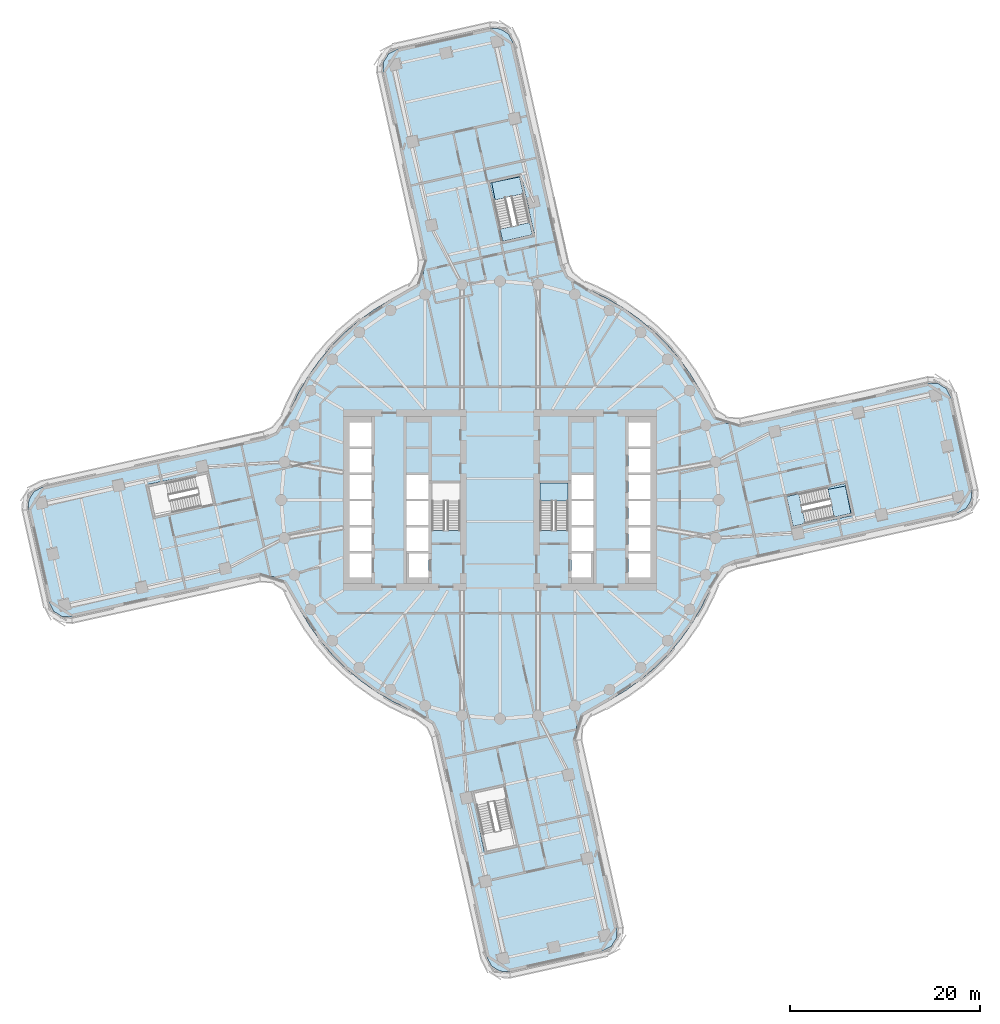
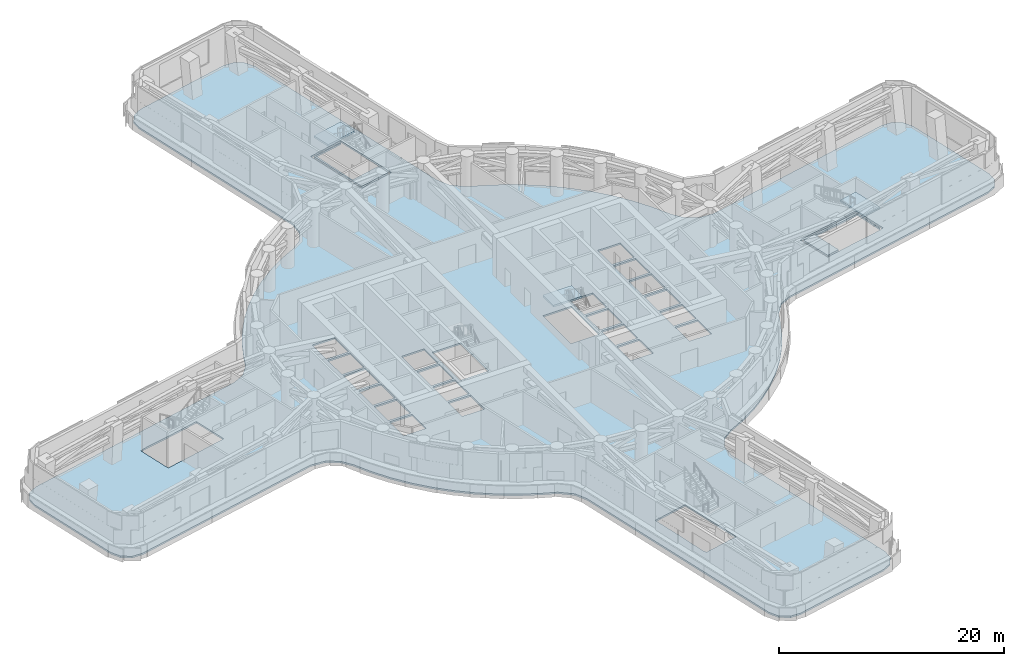
# One storey, part 6 of 22: 6 slabs, 3 elements without a shape of their own.
"""IFC4 building model written with IfcOpenShell, lengths in metres."""

import ifcopenshell
import ifcopenshell.guid

model = None  # the IFC model being written
_history = None  # IfcOwnerHistory: only IFC2X3 demands one
_inside = {}  # id of a spatial element -> (the spatial element, [elements in it])
_under = {}  # id of a project, library or spatial element -> (it, [spatial elements below it])
_declared = {}  # id of a project -> (the project, [libraries it declares])
_typed = {}  # id of a type object -> (the type object, [elements of that type])
_made_of = {}  # id of a material, layer set ... -> (it, [elements and type objects made of it])


def new_model(schema):
    """Start an empty IFC model of exactly this schema.

    Asked for "IFC4X3", IfcOpenShell would pick the latest addendum, in which some entities
    have other attributes; the version numbers below select the first issue.
    IFC2X3 requires an IfcOwnerHistory on every rooted entity: one is made here for all.
    """
    global model, _history
    if schema == "IFC4X3":
        model = ifcopenshell.file(schema_version=(4, 3, 0, 0))
    else:
        model = ifcopenshell.file(schema=schema)
    _inside.clear()
    _under.clear()
    _declared.clear()
    _typed.clear()
    _made_of.clear()
    _history = None
    if model.schema == "IFC2X3":
        org = make("IfcOrganization", Name="unknown")
        user = make(
            "IfcPersonAndOrganization",
            ThePerson=make("IfcPerson", FamilyName="unknown"),
            TheOrganization=org,
        )
        app = make(
            "IfcApplication",
            ApplicationDeveloper=org,
            Version="unknown",
            ApplicationFullName="unknown",
            ApplicationIdentifier="unknown",
        )
        _history = make(
            "IfcOwnerHistory",
            OwningUser=user,
            OwningApplication=app,
            ChangeAction="ADDED",
            CreationDate=0,
        )
    return model


def make(cls, **values):
    """One entity of the class cls with the attributes given. An attribute that is None is left unset."""
    return model.create_entity(
        cls, **{name: value for name, value in values.items() if value is not None}
    )


def rooted(cls, **values):
    """An entity with a GlobalId (a new one), such as an element, a storey or a relation."""
    return make(cls, GlobalId=ifcopenshell.guid.new(), OwnerHistory=_history, **values)


def si_unit(unit_type, name, prefix=None):
    """IfcSIUnit, for example si_unit("LENGTHUNIT", "METRE", prefix="MILLI")."""
    return make("IfcSIUnit", UnitType=unit_type, Prefix=prefix, Name=name)


def assignment(units):
    """IfcUnitAssignment: the units of a project."""
    return None if units is None else make("IfcUnitAssignment", Units=units)


def point(xyz):
    """IfcCartesianPoint."""
    return None if xyz is None else make("IfcCartesianPoint", Coordinates=xyz)


def direction(xyz):
    """IfcDirection."""
    return None if xyz is None else make("IfcDirection", DirectionRatios=xyz)


def frame(location, z_axis=None, x_axis=None):
    """IfcAxis2Placement3D, a coordinate frame: its origin and axes. An axis left out is left unset."""
    return make(
        "IfcAxis2Placement3D",
        Location=point(location),
        Axis=direction(z_axis),
        RefDirection=direction(x_axis),
    )


def origin():
    """The frame at (0, 0, 0) with its axes left unset."""
    return frame((0.0, 0.0, 0.0))


def place(relative_to, where):
    """IfcLocalPlacement: puts the frame where relative to a parent placement (None: the world)."""
    return make(
        "IfcLocalPlacement", PlacementRelTo=relative_to, RelativePlacement=where
    )


def context(
    kind, dimensions, precision=None, world=None, true_north=None, identifier=None
):
    """IfcGeometricRepresentationContext, for example the 3D "Model" context."""
    return make(
        "IfcGeometricRepresentationContext",
        ContextIdentifier=identifier,
        ContextType=kind,
        CoordinateSpaceDimension=dimensions,
        Precision=precision,
        WorldCoordinateSystem=world,
        TrueNorth=true_north,
    )


def subcontext(parent, identifier, kind, view, scale=None):
    """IfcGeometricRepresentationSubContext, for example "Body" below "Model"."""
    return make(
        "IfcGeometricRepresentationSubContext",
        ContextIdentifier=identifier,
        ContextType=kind,
        ParentContext=parent,
        TargetScale=scale,
        TargetView=view,
    )


def project(units=None, contexts=None):
    """IfcProject with its units and contexts."""
    return rooted(
        "IfcProject",
        Name="project",
        RepresentationContexts=contexts,
        UnitsInContext=assignment(units),
    )


def spatial(cls, under=None, at=None, **own):
    """A site, building, storey or space (cls), placed at a placement, below another one or the project."""
    s = rooted(cls, ObjectPlacement=at, **own)
    if under is not None:
        _under.setdefault(under.id(), (under, []))[1].append(s)
    return s


def polyline(points):
    """IfcPolyline through the points."""
    return make("IfcPolyline", Points=[point(p) for p in points])


def outline(outer, holes=None, kind="AREA"):
    """IfcArbitraryClosedProfileDef: a profile drawn as a closed curve; with holes, ...WithVoids."""
    if holes is None:
        return make("IfcArbitraryClosedProfileDef", ProfileType=kind, OuterCurve=outer)
    return make(
        "IfcArbitraryProfileDefWithVoids",
        ProfileType=kind,
        OuterCurve=outer,
        InnerCurves=holes,
    )


def extrude(swept, where, along, depth):
    """IfcExtrudedAreaSolid: the profile swept, set in the frame where, extruded along a direction by depth."""
    return make(
        "IfcExtrudedAreaSolid",
        SweptArea=swept,
        Position=where,
        ExtrudedDirection=direction(along),
        Depth=depth,
    )


def shape(context_of_items, identifier, shape_type, items):
    """IfcShapeRepresentation: the items that make up one representation, for example the "Body"."""
    return make(
        "IfcShapeRepresentation",
        ContextOfItems=context_of_items,
        RepresentationIdentifier=identifier,
        RepresentationType=shape_type,
        Items=items,
    )


def material(Name=None, Category=None):
    """IfcMaterial."""
    return make("IfcMaterial", Name=Name, Category=Category)


def layer(
    of_material, thickness, ventilated=None, Name=None, Category=None, Priority=None
):
    """IfcMaterialLayer: one layer of a wall or slab, of a material (None: an air gap)."""
    return make(
        "IfcMaterialLayer",
        Material=of_material,
        LayerThickness=thickness,
        IsVentilated=ventilated,
        Name=Name,
        Category=Category,
        Priority=Priority,
    )


def layer_set(layers, Name=None):
    """IfcMaterialLayerSet."""
    return make("IfcMaterialLayerSet", MaterialLayers=layers, LayerSetName=Name)


def made_of(thing, what):
    """Note that an element or type object is made of a material, layer set ...; save() writes the relation."""
    if what is not None:
        _made_of.setdefault(what.id(), (what, []))[1].append(thing)
    return thing


def type_object(cls, material=None, **own):
    """A type object (cls), such as IfcWallType, which elements share."""
    return made_of(rooted(cls, **own), material)


def element(
    cls,
    number,
    at=None,
    inside=None,
    cuts=None,
    type_object=None,
    material=None,
    context=None,
    identifier="Body",
    shape_type=None,
    held_by="IfcProductDefinitionShape",
    body=None,
    shapes=None,
    **own,
):
    """One element of the class cls, such as IfcWall. Its Tag is "e" and its number.

    at: its placement. inside: the storey or other place that contains it. cuts: it is an
    opening in that element (IfcRelVoidsElement). A single representation is given by context,
    identifier, shape_type and body (its items); several are given by shapes. held_by: the class
    of the entity that holds the representations. save() writes the other relations.
    """
    e = rooted(cls, Tag="e%d" % number, ObjectPlacement=at, **own)
    if body is not None:
        shapes = [shape(context, identifier, shape_type, body)]
    if shapes is not None:
        e.Representation = make(held_by, Representations=shapes)
    if inside is not None:
        _inside.setdefault(inside.id(), (inside, []))[1].append(e)
    if cuts is not None:
        rooted(
            "IfcRelVoidsElement", RelatingBuildingElement=cuts, RelatedOpeningElement=e
        )
    if type_object is not None:
        _typed.setdefault(type_object.id(), (type_object, []))[1].append(e)
    return made_of(e, material)


def aggregate(whole, parts):
    """IfcRelAggregates: a whole, such as a stair, and the parts it consists of."""
    return rooted("IfcRelAggregates", RelatingObject=whole, RelatedObjects=parts)


def save(model, path):
    """Write the relations noted so far, then the file.

    IfcRelAggregates (storeys below a building ...), IfcRelContainedInSpatialStructure (elements
    in a storey), IfcRelDefinesByType, IfcRelAssociatesMaterial and IfcRelDeclares: one each for
    every whole, place, type object, material and project.
    """
    for whole, parts in _under.values():
        aggregate(whole, parts)
    for where, things in _inside.values():
        rooted(
            "IfcRelContainedInSpatialStructure",
            RelatedElements=things,
            RelatingStructure=where,
        )
    for kind, things in _typed.values():
        rooted("IfcRelDefinesByType", RelatedObjects=things, RelatingType=kind)
    for what, things in _made_of.values():
        rooted("IfcRelAssociatesMaterial", RelatedObjects=things, RelatingMaterial=what)
    for by, libraries in _declared.values():
        rooted("IfcRelDeclares", RelatingContext=by, RelatedDefinitions=libraries)
    model.write(path)


model = new_model("IFC4")

# Units and contexts
model_context = context("Model", 3, precision=1e-05, world=origin(), true_north=direction((0.0, 1.0)))
body_context = subcontext(model_context, "Body", "Model", "MODEL_VIEW")
ifc_project = project(units=[si_unit("LENGTHUNIT", "METRE"), si_unit("AREAUNIT", "SQUARE_METRE"), si_unit("VOLUMEUNIT", "CUBIC_METRE"), si_unit("PLANEANGLEUNIT", "RADIAN"), si_unit("MASSUNIT", "GRAM", prefix="KILO")], contexts=[model_context])

# Site, building, storey
site_placement = place(None, origin())
site = spatial("IfcSite", under=ifc_project, at=site_placement, CompositionType="ELEMENT")
building_placement = place(site_placement, origin())
building = spatial("IfcBuilding", under=site, at=building_placement, Name="Tamarind Cross Interchange Tower", CompositionType="ELEMENT")
storey_placement = place(building_placement, frame((0.0, 0.0, 79.0)))
storey = spatial("IfcBuildingStorey", under=building, at=storey_placement, Name="L18", CompositionType="ELEMENT", Elevation=79.0)

# Slabs
ifc_material_1 = material(Name="Concrete C40", Category="concrete")
ifc_layer_1 = layer(ifc_material_1, 0.179931640625)
ifc_layer_set_1 = layer_set([ifc_layer_1], Name="Concrete C40")
slab_type_1 = type_object("IfcSlabType", Name="Composite slab 180 Concrete C40", PredefinedType="FLOOR", material=ifc_layer_set_1)
slab_1_placement = place(storey_placement, frame((0.0, 0.0, -0.179931640625)))
element("IfcSlab", 1, at=slab_1_placement, inside=storey, type_object=slab_type_1, Name="Floor slab L18", PredefinedType="FLOOR", context=body_context, shape_type="SweptSolid", body=[
    extrude(outline(polyline([(-23.512451171875, 7.135009765625), (-24.71337890625, 6.567626953125), (-48.038818359375, 1.38037109375), (-48.956787109375, 0.90185546875), (-49.512451171875, 0.0283203125), (-49.556884765625, -1.006103515625), (-47.385986328125, -10.767578125), (-46.907470703125, -11.685546875), (-46.033935546875, -12.2412109375), (-44.99951171875, -12.28564453125), (-25.2578125, -7.922119140625), (-23.802978515625, -8.03955078125), (-22.65380859375, -8.73681640625), (-21.902587890625, -9.796142578125), (-21.054443359375, -11.511474609375), (-20.031982421875, -13.2109375), (-18.87255859375, -14.820068359375), (-17.584228515625, -16.327880859375), (-16.17578125, -17.72412109375), (-14.656982421875, -18.99951171875), (-13.0380859375, -20.14501953125), (-11.329833984375, -21.15283203125), (-9.54443359375, -22.01611328125), (-8.33203125, -22.52099609375), (-7.135009765625, -23.512451171875), (-6.567626953125, -24.71337890625), (-1.38037109375, -48.038818359375), (-0.90185546875, -48.956787109375), (-0.0283203125, -49.512451171875), (1.006103515625, -49.556884765625), (10.767578125, -47.385986328125), (11.685546875, -46.907470703125), (12.2412109375, -46.033935546875), (12.28564453125, -44.99951171875), (7.922119140625, -25.2578125), (8.03955078125, -23.802978515625), (8.73681640625, -22.65380859375), (9.796142578125, -21.902587890625), (11.511474609375, -21.054443359375), (13.2109375, -20.031982421875), (14.820068359375, -18.87255859375), (16.327880859375, -17.584228515625), (17.72412109375, -16.17578125), (18.99951171875, -14.656982421875), (20.14501953125, -13.0380859375), (21.15283203125, -11.329833984375), (22.01611328125, -9.54443359375), (22.52099609375, -8.33203125), (23.512451171875, -7.135009765625), (24.71337890625, -6.567626953125), (48.038818359375, -1.38037109375), (48.956787109375, -0.90185546875), (49.512451171875, -0.0283203125), (49.556884765625, 1.006103515625), (47.385986328125, 10.767578125), (46.907470703125, 11.685546875), (46.033935546875, 12.2412109375), (44.99951171875, 12.28564453125), (25.2578125, 7.922119140625), (23.802978515625, 8.03955078125), (22.65380859375, 8.73681640625), (21.902587890625, 9.796142578125), (21.054443359375, 11.511474609375), (20.031982421875, 13.2109375), (18.87255859375, 14.820068359375), (17.584228515625, 16.327880859375), (16.17578125, 17.72412109375), (14.656982421875, 18.99951171875), (13.0380859375, 20.14501953125), (11.329833984375, 21.15283203125), (9.54443359375, 22.01611328125), (8.33203125, 22.52099609375), (7.135009765625, 23.512451171875), (6.567626953125, 24.71337890625), (1.38037109375, 48.038818359375), (0.90185546875, 48.956787109375), (0.0283203125, 49.512451171875), (-1.006103515625, 49.556884765625), (-10.767578125, 47.385986328125), (-11.685546875, 46.907470703125), (-12.2412109375, 46.033935546875), (-12.28564453125, 44.99951171875), (-7.922119140625, 25.2578125), (-8.03955078125, 23.802978515625), (-8.73681640625, 22.65380859375), (-9.796142578125, 21.902587890625), (-11.511474609375, 21.054443359375), (-13.2109375, 20.031982421875), (-14.820068359375, 18.87255859375), (-16.327880859375, 17.584228515625), (-17.72412109375, 16.17578125), (-18.99951171875, 14.656982421875), (-20.14501953125, 13.0380859375), (-21.15283203125, 11.329833984375), (-22.01611328125, 9.54443359375), (-22.52099609375, 8.33203125), (-23.512451171875, 7.135009765625)]), holes=[polyline([(-13.5, -8.125), (-15.800048828125, -8.125), (-15.800048828125, -5.625), (-13.5, -5.625), (-13.5, -8.125)]), polyline([(-13.5, -5.375), (-15.800048828125, -5.375), (-15.800048828125, -2.875), (-13.5, -2.875), (-13.5, -5.375)]), polyline([(-7.5, -5.375), (-9.800048828125, -5.375), (-9.800048828125, -2.875), (-7.5, -2.875), (-7.5, -5.375)]), polyline([(-15.800048828125, -2.625), (-15.800048828125, -0.125), (-13.5, -0.125), (-13.5, -2.625), (-15.800048828125, -2.625)]), polyline([(-9.800048828125, -2.625), (-9.800048828125, -0.125), (-7.5, -0.125), (-7.5, -2.625), (-9.800048828125, -2.625)]), polyline([(-36.414794921875, -1.976318359375), (-36.4580078125, -1.781005859375), (-37.15283203125, 1.342529296875), (-37.1962890625, 1.537841796875), (-36.91796875, 1.599853515625), (-36.9296875, 1.65869140625), (-33.7060546875, 2.31396484375), (-30.656005859375, 2.9921875), (-30.612548828125, 2.797119140625), (-29.91796875, -0.32666015625), (-29.87451171875, -0.521728515625), (-36.414794921875, -1.976318359375)]), polyline([(-15.800048828125, 0.125), (-15.800048828125, 2.625), (-13.5, 2.625), (-13.5, 0.125), (-15.800048828125, 0.125)]), polyline([(-7.5, 0.125), (-9.800048828125, 0.125), (-9.800048828125, 2.625), (-7.5, 2.625), (-7.5, 0.125)]), polyline([(-13.5, 2.875), (-15.800048828125, 2.875), (-15.800048828125, 5.375), (-13.5, 5.375), (-13.5, 2.875)]), polyline([(-15.800048828125, 5.625), (-15.800048828125, 8.125), (-13.5, 8.125), (-13.5, 5.625), (-15.800048828125, 5.625)]), polyline([(1.976318359375, -36.414794921875), (1.781005859375, -36.4580078125), (-1.342529296875, -37.15283203125), (-1.537841796875, -37.1962890625), (-1.599853515625, -36.91796875), (-1.65869140625, -36.9296875), (-2.31396484375, -33.7060546875), (-2.9921875, -30.656005859375), (-2.797119140625, -30.612548828125), (0.32666015625, -29.91796875), (0.521728515625, -29.87451171875), (1.976318359375, -36.414794921875)]), polyline([(-9.800048828125, -8.125), (-9.800048828125, -5.625), (-7.5, -5.625), (-7.5, -8.125), (-9.800048828125, -8.125)]), polyline([(-4.199951171875, -3.18798828125), (-7.14990234375, -3.18798828125), (-7.14990234375, 1.800048828125), (-4.199951171875, 1.800048828125), (-4.199951171875, -3.18798828125)]), polyline([(7.14990234375, 1.800048828125), (7.14990234375, -3.18798828125), (4.199951171875, -3.18798828125), (4.199951171875, 1.800048828125), (7.14990234375, 1.800048828125)]), polyline([(7.5, 2.625), (9.800048828125, 2.625), (9.800048828125, 0.125), (7.5, 0.125), (7.5, 2.625)]), polyline([(3.6435546875, 27.7275390625), (3.4482421875, 27.68408203125), (0.32470703125, 26.989501953125), (0.12939453125, 26.946044921875), (-1.324951171875, 33.486328125), (-1.1298828125, 33.52978515625), (1.993896484375, 34.224365234375), (2.189208984375, 34.267822265625), (2.251220703125, 33.989013671875), (2.25634765625, 33.989990234375), (2.31396484375, 33.7060546875), (3.6435546875, 27.7275390625)]), polyline([(7.5, -5.625), (9.800048828125, -5.625), (9.800048828125, -8.125), (7.5, -8.125), (7.5, -5.625)]), polyline([(15.800048828125, -5.625), (15.800048828125, -8.125), (13.5, -8.125), (13.5, -5.625), (15.800048828125, -5.625)]), polyline([(9.800048828125, -2.875), (9.800048828125, -5.375), (7.5, -5.375), (7.5, -2.875), (9.800048828125, -2.875)]), polyline([(13.5, -2.875), (15.800048828125, -2.875), (15.800048828125, -5.375), (13.5, -5.375), (13.5, -2.875)]), polyline([(33.7060546875, -2.31396484375), (30.656005859375, -2.9921875), (30.612548828125, -2.797119140625), (29.91796875, 0.32666015625), (29.87451171875, 0.521728515625), (36.414794921875, 1.976318359375), (36.4580078125, 1.781005859375), (37.15283203125, -1.342529296875), (37.1962890625, -1.537841796875), (36.91796875, -1.599853515625), (36.9296875, -1.65869140625), (33.7060546875, -2.31396484375)]), polyline([(7.5, -0.125), (9.800048828125, -0.125), (9.800048828125, -2.625), (7.5, -2.625), (7.5, -0.125)]), polyline([(15.800048828125, -0.125), (15.800048828125, -2.625), (13.5, -2.625), (13.5, -0.125), (15.800048828125, -0.125)]), polyline([(13.5, 2.625), (15.800048828125, 2.625), (15.800048828125, 0.125), (13.5, 0.125), (13.5, 2.625)]), polyline([(15.800048828125, 5.375), (15.800048828125, 2.875), (13.5, 2.875), (13.5, 5.375), (15.800048828125, 5.375)]), polyline([(15.800048828125, 8.125), (15.800048828125, 5.625), (13.5, 5.625), (13.5, 8.125), (15.800048828125, 8.125)])]), origin(), (0.0, 0.0, 1.0), 0.179931640625),
])
slab_2_placement = place(storey_placement, frame((0.0, 0.0, -0.179931640625)))
element("IfcSlab", 2, at=slab_2_placement, inside=storey, type_object=slab_type_1, Name="Floor slab L18", PredefinedType="FLOOR", context=body_context, shape_type="SweptSolid", body=[
    extrude(outline(polyline([(2.037353515625, 34.029052734375), (-1.08642578125, 33.33447265625), (0.28125, 27.184814453125), (3.40478515625, 27.87939453125), (3.1201171875, 29.16015625), (0.10888671875, 28.490478515625), (-0.87939453125, 33.352294921875), (2.05517578125, 33.948974609375), (2.037353515625, 34.029052734375)])), origin(), (0.0, 0.0, 1.0), 0.179931640625),
])
slab_3_placement = place(storey_placement, frame((0.0, 0.0, -0.179931640625)))
element("IfcSlab", 3, at=slab_3_placement, inside=storey, type_object=slab_type_1, Name="Floor slab L18", PredefinedType="FLOOR", context=body_context, shape_type="SweptSolid", body=[
    extrude(outline(polyline([(36.292236328125, 1.477294921875), (36.8779296875, -1.40380859375), (36.95751953125, -1.385986328125), (36.262939453125, 1.737548828125), (30.113037109375, 0.3701171875), (30.807861328125, -2.753662109375), (32.08837890625, -2.468994140625), (31.430908203125, 0.48876953125), (36.292236328125, 1.477294921875)])), origin(), (0.0, 0.0, 1.0), 0.179931640625),
])

# Stair, slab
ifc_material_2 = material(Name="Exit stair")
stair_type = type_object("IfcStairType", Name="Exit stair", PredefinedType="HALF_TURN_STAIR", material=ifc_material_2)
stair_1_placement = place(storey_placement, origin())
stair_1 = element("IfcStair", 4, at=stair_1_placement, inside=storey, type_object=stair_type, Name="L18 exit stair ST2", PredefinedType="HALF_TURN_STAIR")
ifc_layer_2 = layer(ifc_material_1, 0.199951171875)
ifc_layer_set_2 = layer_set([ifc_layer_2], Name="Concrete C40")
slab_type_2 = type_object("IfcSlabType", Name="Stair landing", PredefinedType="LANDING", material=ifc_layer_set_2)
slab_4_placement = place(storey_placement, frame((0.0, 0.0, 2.050048828125)))
slab_4 = element("IfcSlab", 5, at=slab_4_placement, type_object=slab_type_2, Name="ST2 landing 1", PredefinedType="LANDING", context=body_context, shape_type="SweptSolid", body=[
    extrude(outline(polyline([(7.14990234375, -0.080078125), (7.14990234375, 1.800048828125), (4.199951171875, 1.800048828125), (4.199951171875, -0.080078125), (7.14990234375, -0.080078125)])), origin(), (0.0, 0.0, 1.0), 0.199951171875),
])
aggregate(stair_1, [slab_4])

stair_2_placement = place(storey_placement, origin())
stair_2 = element("IfcStair", 6, at=stair_2_placement, inside=storey, type_object=stair_type, Name="L18 exit stair ST3", PredefinedType="HALF_TURN_STAIR")
slab_5_placement = place(storey_placement, frame((0.0, 0.0, 2.050048828125)))
slab_5 = element("IfcSlab", 7, at=slab_5_placement, type_object=slab_type_2, Name="ST3 landing 1", PredefinedType="LANDING", context=body_context, shape_type="SweptSolid", body=[
    extrude(outline(polyline([(35.110595703125, -1.796875), (36.95751953125, -1.385986328125), (36.262939453125, 1.737548828125), (34.416015625, 1.326904296875), (35.110595703125, -1.796875)])), origin(), (0.0, 0.0, 1.0), 0.199951171875),
])
aggregate(stair_2, [slab_5])

stair_3_placement = place(storey_placement, origin())
stair_3 = element("IfcStair", 8, at=stair_3_placement, inside=storey, type_object=stair_type, Name="L18 exit stair ST4", PredefinedType="HALF_TURN_STAIR")
slab_6_placement = place(storey_placement, frame((0.0, 0.0, 2.050048828125)))
slab_6 = element("IfcSlab", 9, at=slab_6_placement, type_object=slab_type_2, Name="ST4 landing 1", PredefinedType="LANDING", context=body_context, shape_type="SweptSolid", body=[
    extrude(outline(polyline([(2.447998046875, 32.18212890625), (2.037353515625, 34.029052734375), (-1.08642578125, 33.33447265625), (-0.67578125, 31.487548828125), (2.447998046875, 32.18212890625)])), origin(), (0.0, 0.0, 1.0), 0.199951171875),
])
aggregate(stair_3, [slab_6])

save(model, "model.ifc")
